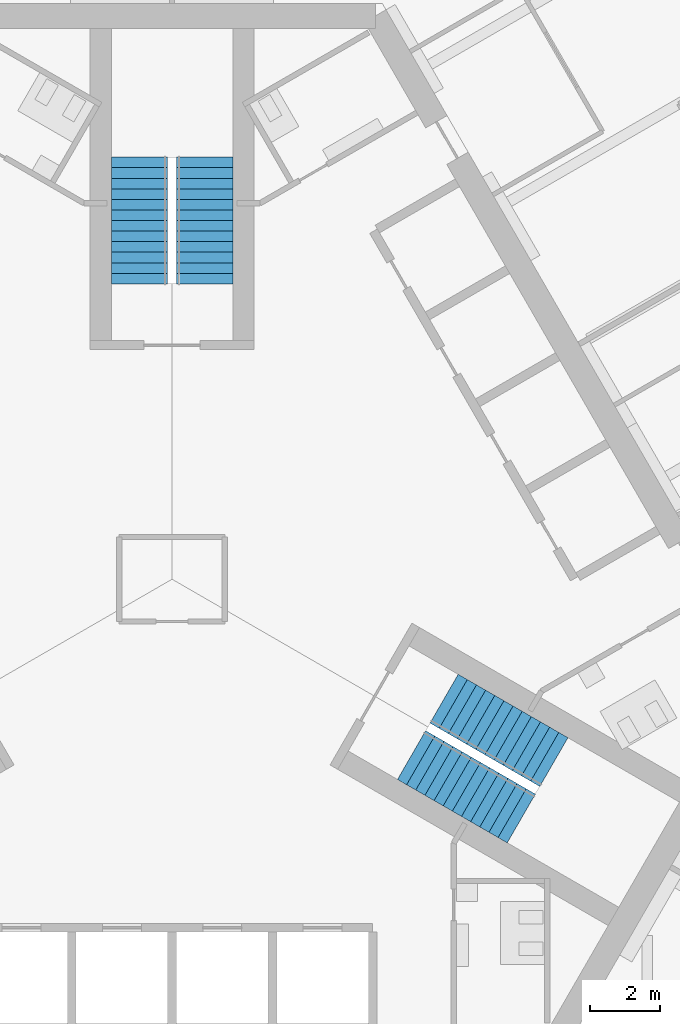
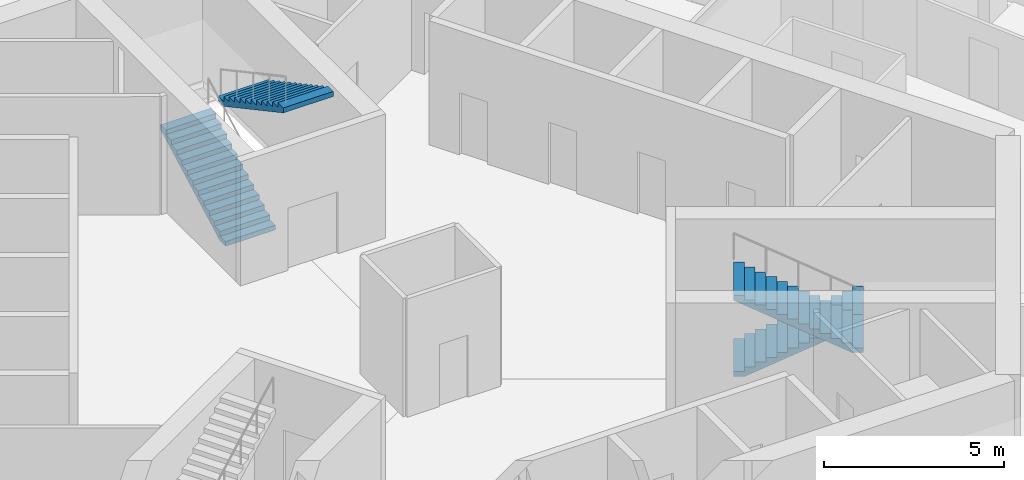
# One storey, part 11 of 16: 4 stair flights, 2 elements without a shape of their own.
"""IFC4 building model written with IfcOpenShell, lengths in metres."""

from ifc_helpers import new_model, si_unit, direction, frame, origin, place, context, subcontext, project, spatial, polyline, outline, extrude, material, type_object, element, aggregate, save


model = new_model("IFC4")

# Units and contexts
model_context = context("Model", 3, precision=1e-05, world=origin(), true_north=direction((0.0, 1.0)))
body_context = subcontext(model_context, "Body", "Model", "MODEL_VIEW")
ifc_project = project(units=[si_unit("LENGTHUNIT", "METRE"), si_unit("AREAUNIT", "SQUARE_METRE"), si_unit("VOLUMEUNIT", "CUBIC_METRE"), si_unit("PLANEANGLEUNIT", "RADIAN"), si_unit("MASSUNIT", "GRAM", prefix="KILO")], contexts=[model_context])

# Site, building, storey
site_placement = place(None, origin())
site = spatial("IfcSite", under=ifc_project, at=site_placement, CompositionType="ELEMENT")
building_placement = place(site_placement, origin())
building = spatial("IfcBuilding", under=site, at=building_placement, Name="Trefoil Bronze Tower", CompositionType="ELEMENT")
storey_placement = place(building_placement, frame((0.0, 0.0, 297.300048828125)))
storey = spatial("IfcBuildingStorey", under=building, at=storey_placement, Name="L68", CompositionType="ELEMENT", Elevation=297.300048828125)

# Stair, stair flights
ifc_material_1 = material(Name="Precast concrete B80", Category="concrete")
stair_type = type_object("IfcStairType", Name="Exit stair 26 risers", PredefinedType="HALF_TURN_STAIR", material=ifc_material_1)
stair_1_placement = place(storey_placement, origin())
stair_1 = element("IfcStair", 1, at=stair_1_placement, inside=storey, type_object=stair_type, Name="Stair ST1 L68", PredefinedType="HALF_TURN_STAIR")
ifc_material_2 = material(Name="Precast concrete B80", Category="concrete")
stair_flight_type = type_object("IfcStairFlightType", Name="Stair flight 1600", PredefinedType="STRAIGHT", material=ifc_material_2)
stair_flight_1_placement = place(storey_placement, frame((7.728515625, -3.39404296875, 0.0), z_axis=(0.0, 0.0, 1.0), x_axis=(0.866025403784, -0.5, 0.0)))
stair_flight_1 = element("IfcStairFlight", 2, at=stair_flight_1_placement, type_object=stair_flight_type, Name="ST1 flight 1", NumberOfRisers=13, NumberOfTreads=12, PredefinedType="STRAIGHT", RiserHeight=0.161538462, TreadLength=0.3, context=body_context, shape_type="SweptSolid", body=[
    extrude(outline(polyline([(0.0, 0.0), (0.0, 0.16162109375), (0.300048828125, 0.16162109375), (0.300048828125, 0.322998046875), (0.60009765625, 0.322998046875), (0.60009765625, 0.484619140625), (0.89990234375, 0.484619140625), (0.89990234375, 0.646240234375), (1.199951171875, 0.646240234375), (1.199951171875, 0.8076171875), (1.5, 0.8076171875), (1.5, 0.96923828125), (1.800048828125, 0.96923828125), (1.800048828125, 1.130859375), (2.10009765625, 1.130859375), (2.10009765625, 1.292236328125), (2.39990234375, 1.292236328125), (2.39990234375, 1.453857421875), (2.699951171875, 1.453857421875), (2.699951171875, 1.615478515625), (3.0, 1.615478515625), (3.0, 1.77685546875), (3.300048828125, 1.77685546875), (3.300048828125, 1.9384765625), (3.60009765625, 1.9384765625), (3.60009765625, 2.10009765625), (3.60009765625, 1.768310546875), (0.316162109375, 0.0), (0.0, 0.0)])), frame((0.0, 0.800048828125, 0.0), z_axis=(0.0, -1.0, 0.0), x_axis=(1.0, 0.0, 0.0)), (0.0, 0.0, 1.0), 1.60009765625),
])
stair_flight_2_placement = place(storey_placement, frame((9.921142578125, -6.796142578125, 2.099853515625), z_axis=(0.0, 0.0, 1.0), x_axis=(-0.866025403784, 0.5, 0.0)))
stair_flight_2 = element("IfcStairFlight", 3, at=stair_flight_2_placement, type_object=stair_flight_type, Name="ST1 flight 2", NumberOfRisers=13, NumberOfTreads=12, PredefinedType="STRAIGHT", RiserHeight=0.161538462, TreadLength=0.3, context=body_context, shape_type="SweptSolid", body=[
    extrude(outline(polyline([(0.0, 0.0), (0.0, 0.16162109375), (0.300048828125, 0.16162109375), (0.300048828125, 0.322998046875), (0.60009765625, 0.322998046875), (0.60009765625, 0.484619140625), (0.89990234375, 0.484619140625), (0.89990234375, 0.646240234375), (1.199951171875, 0.646240234375), (1.199951171875, 0.8076171875), (1.5, 0.8076171875), (1.5, 0.96923828125), (1.800048828125, 0.96923828125), (1.800048828125, 1.130859375), (2.10009765625, 1.130859375), (2.10009765625, 1.292236328125), (2.39990234375, 1.292236328125), (2.39990234375, 1.453857421875), (2.699951171875, 1.453857421875), (2.699951171875, 1.615478515625), (3.0, 1.615478515625), (3.0, 1.77685546875), (3.300048828125, 1.77685546875), (3.300048828125, 1.9384765625), (3.60009765625, 1.9384765625), (3.60009765625, 2.10009765625), (3.60009765625, 1.768310546875), (0.316162109375, 0.0), (0.0, 0.0)])), frame((0.0, 0.800048828125, 0.0), z_axis=(0.0, -1.0, 0.0), x_axis=(1.0, 0.0, 0.0)), (0.0, 0.0, 1.0), 1.60009765625),
])
aggregate(stair_1, [stair_flight_1, stair_flight_2])

stair_2_placement = place(storey_placement, origin())
stair_2 = element("IfcStair", 4, at=stair_2_placement, inside=storey, type_object=stair_type, Name="Stair ST2 L68", PredefinedType="HALF_TURN_STAIR")
stair_flight_3_placement = place(storey_placement, frame((-0.925048828125, 8.389892578125, 0.0), z_axis=(0.0, 0.0, 1.0), x_axis=(0.0, 1.0, 0.0)))
stair_flight_3 = element("IfcStairFlight", 5, at=stair_flight_3_placement, type_object=stair_flight_type, Name="ST2 flight 1", NumberOfRisers=13, NumberOfTreads=12, PredefinedType="STRAIGHT", RiserHeight=0.161538462, TreadLength=0.3, context=body_context, shape_type="SweptSolid", body=[
    extrude(outline(polyline([(0.0, 0.0), (0.0, 0.16162109375), (0.300048828125, 0.16162109375), (0.300048828125, 0.322998046875), (0.60009765625, 0.322998046875), (0.60009765625, 0.484619140625), (0.89990234375, 0.484619140625), (0.89990234375, 0.646240234375), (1.199951171875, 0.646240234375), (1.199951171875, 0.8076171875), (1.5, 0.8076171875), (1.5, 0.96923828125), (1.800048828125, 0.96923828125), (1.800048828125, 1.130859375), (2.10009765625, 1.130859375), (2.10009765625, 1.292236328125), (2.39990234375, 1.292236328125), (2.39990234375, 1.453857421875), (2.699951171875, 1.453857421875), (2.699951171875, 1.615478515625), (3.0, 1.615478515625), (3.0, 1.77685546875), (3.300048828125, 1.77685546875), (3.300048828125, 1.9384765625), (3.60009765625, 1.9384765625), (3.60009765625, 2.10009765625), (3.60009765625, 1.768310546875), (0.316162109375, 0.0), (0.0, 0.0)])), frame((0.0, 0.800048828125, 0.0), z_axis=(0.0, -1.0, 0.0), x_axis=(1.0, 0.0, 0.0)), (0.0, 0.0, 1.0), 1.60009765625),
])
stair_flight_4_placement = place(storey_placement, frame((0.925048828125, 11.989990234375, 2.099853515625), z_axis=(0.0, 0.0, 1.0), x_axis=(0.0, -1.0, 0.0)))
stair_flight_4 = element("IfcStairFlight", 6, at=stair_flight_4_placement, type_object=stair_flight_type, Name="ST2 flight 2", NumberOfRisers=13, NumberOfTreads=12, PredefinedType="STRAIGHT", RiserHeight=0.161538462, TreadLength=0.3, context=body_context, shape_type="SweptSolid", body=[
    extrude(outline(polyline([(0.0, 0.0), (0.0, 0.16162109375), (0.300048828125, 0.16162109375), (0.300048828125, 0.322998046875), (0.60009765625, 0.322998046875), (0.60009765625, 0.484619140625), (0.89990234375, 0.484619140625), (0.89990234375, 0.646240234375), (1.199951171875, 0.646240234375), (1.199951171875, 0.8076171875), (1.5, 0.8076171875), (1.5, 0.96923828125), (1.800048828125, 0.96923828125), (1.800048828125, 1.130859375), (2.10009765625, 1.130859375), (2.10009765625, 1.292236328125), (2.39990234375, 1.292236328125), (2.39990234375, 1.453857421875), (2.699951171875, 1.453857421875), (2.699951171875, 1.615478515625), (3.0, 1.615478515625), (3.0, 1.77685546875), (3.300048828125, 1.77685546875), (3.300048828125, 1.9384765625), (3.60009765625, 1.9384765625), (3.60009765625, 2.10009765625), (3.60009765625, 1.768310546875), (0.316162109375, 0.0), (0.0, 0.0)])), frame((0.0, 0.800048828125, 0.0), z_axis=(0.0, -1.0, 0.0), x_axis=(1.0, 0.0, 0.0)), (0.0, 0.0, 1.0), 1.60009765625),
])
aggregate(stair_2, [stair_flight_3, stair_flight_4])

save(model, "model.ifc")
